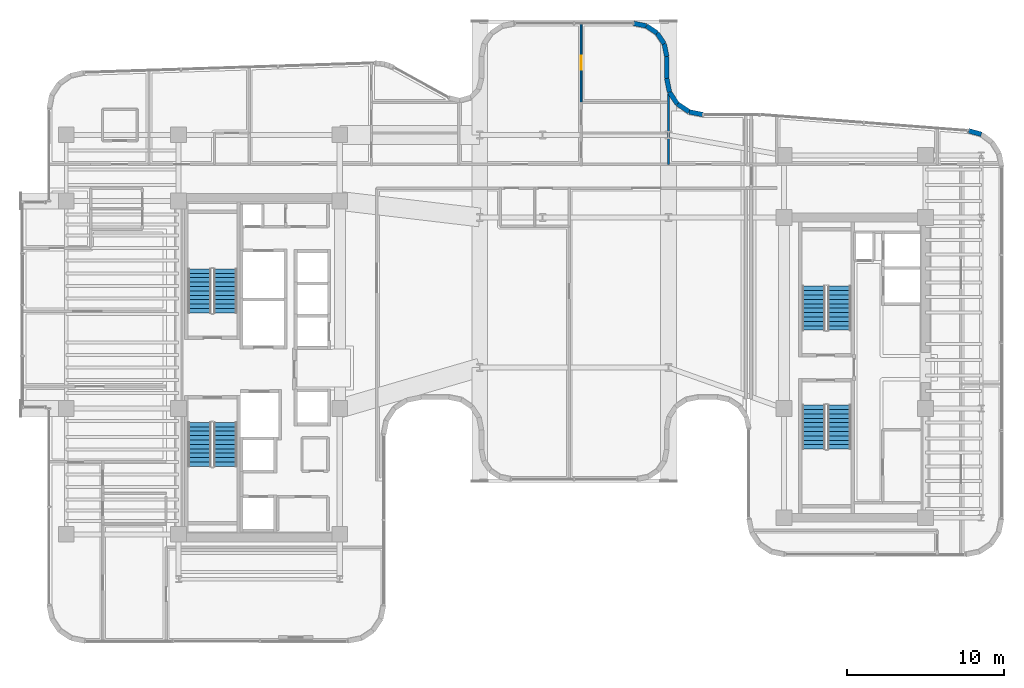
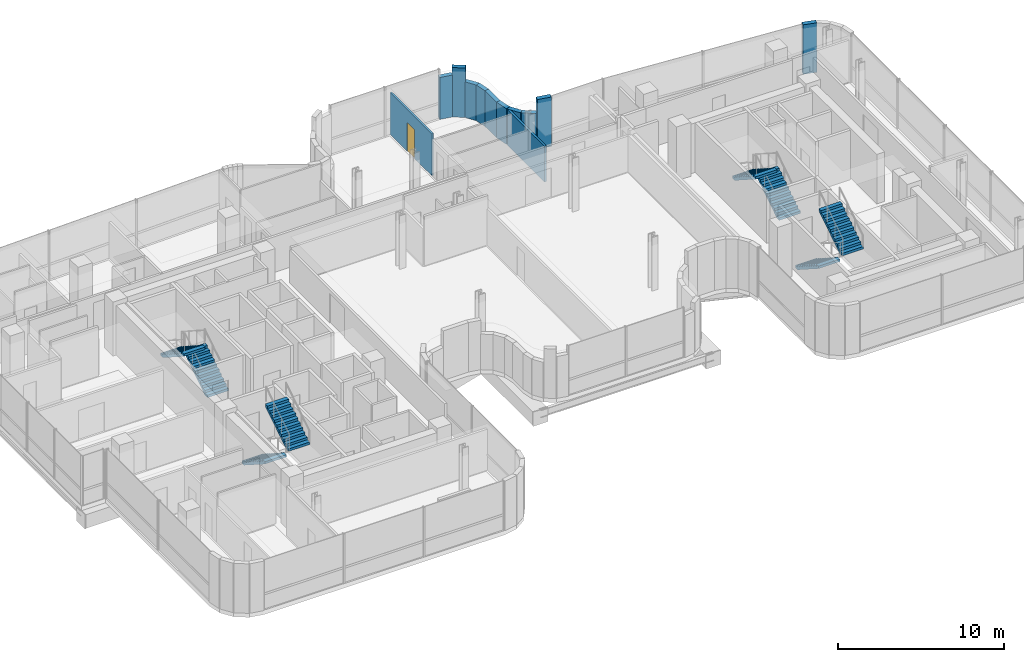
# One storey, part 31 of 38: 12 walls, 8 stair flights, 1 door, 1 opening, 4 elements without a shape of their own.
"""IFC4 building model written with IfcOpenShell, lengths in metres."""

import ifcopenshell
import ifcopenshell.guid

model = None  # the IFC model being written
_history = None  # IfcOwnerHistory: only IFC2X3 demands one
_inside = {}  # id of a spatial element -> (the spatial element, [elements in it])
_under = {}  # id of a project, library or spatial element -> (it, [spatial elements below it])
_declared = {}  # id of a project -> (the project, [libraries it declares])
_typed = {}  # id of a type object -> (the type object, [elements of that type])
_made_of = {}  # id of a material, layer set ... -> (it, [elements and type objects made of it])


def new_model(schema):
    """Start an empty IFC model of exactly this schema.

    Asked for "IFC4X3", IfcOpenShell would pick the latest addendum, in which some entities
    have other attributes; the version numbers below select the first issue.
    IFC2X3 requires an IfcOwnerHistory on every rooted entity: one is made here for all.
    """
    global model, _history
    if schema == "IFC4X3":
        model = ifcopenshell.file(schema_version=(4, 3, 0, 0))
    else:
        model = ifcopenshell.file(schema=schema)
    _inside.clear()
    _under.clear()
    _declared.clear()
    _typed.clear()
    _made_of.clear()
    _history = None
    if model.schema == "IFC2X3":
        org = make("IfcOrganization", Name="unknown")
        user = make(
            "IfcPersonAndOrganization",
            ThePerson=make("IfcPerson", FamilyName="unknown"),
            TheOrganization=org,
        )
        app = make(
            "IfcApplication",
            ApplicationDeveloper=org,
            Version="unknown",
            ApplicationFullName="unknown",
            ApplicationIdentifier="unknown",
        )
        _history = make(
            "IfcOwnerHistory",
            OwningUser=user,
            OwningApplication=app,
            ChangeAction="ADDED",
            CreationDate=0,
        )
    return model


def make(cls, **values):
    """One entity of the class cls with the attributes given. An attribute that is None is left unset."""
    return model.create_entity(
        cls, **{name: value for name, value in values.items() if value is not None}
    )


def rooted(cls, **values):
    """An entity with a GlobalId (a new one), such as an element, a storey or a relation."""
    return make(cls, GlobalId=ifcopenshell.guid.new(), OwnerHistory=_history, **values)


def si_unit(unit_type, name, prefix=None):
    """IfcSIUnit, for example si_unit("LENGTHUNIT", "METRE", prefix="MILLI")."""
    return make("IfcSIUnit", UnitType=unit_type, Prefix=prefix, Name=name)


def assignment(units):
    """IfcUnitAssignment: the units of a project."""
    return None if units is None else make("IfcUnitAssignment", Units=units)


def point(xyz):
    """IfcCartesianPoint."""
    return None if xyz is None else make("IfcCartesianPoint", Coordinates=xyz)


def direction(xyz):
    """IfcDirection."""
    return None if xyz is None else make("IfcDirection", DirectionRatios=xyz)


def frame(location, z_axis=None, x_axis=None):
    """IfcAxis2Placement3D, a coordinate frame: its origin and axes. An axis left out is left unset."""
    return make(
        "IfcAxis2Placement3D",
        Location=point(location),
        Axis=direction(z_axis),
        RefDirection=direction(x_axis),
    )


def frame_2d(location, x_axis=None):
    """IfcAxis2Placement2D, a coordinate frame in the plane: its origin and x axis."""
    return make(
        "IfcAxis2Placement2D", Location=point(location), RefDirection=direction(x_axis)
    )


def origin():
    """The frame at (0, 0, 0) with its axes left unset."""
    return frame((0.0, 0.0, 0.0))


def place(relative_to, where):
    """IfcLocalPlacement: puts the frame where relative to a parent placement (None: the world)."""
    return make(
        "IfcLocalPlacement", PlacementRelTo=relative_to, RelativePlacement=where
    )


def context(
    kind, dimensions, precision=None, world=None, true_north=None, identifier=None
):
    """IfcGeometricRepresentationContext, for example the 3D "Model" context."""
    return make(
        "IfcGeometricRepresentationContext",
        ContextIdentifier=identifier,
        ContextType=kind,
        CoordinateSpaceDimension=dimensions,
        Precision=precision,
        WorldCoordinateSystem=world,
        TrueNorth=true_north,
    )


def subcontext(parent, identifier, kind, view, scale=None):
    """IfcGeometricRepresentationSubContext, for example "Body" below "Model"."""
    return make(
        "IfcGeometricRepresentationSubContext",
        ContextIdentifier=identifier,
        ContextType=kind,
        ParentContext=parent,
        TargetScale=scale,
        TargetView=view,
    )


def project(units=None, contexts=None):
    """IfcProject with its units and contexts."""
    return rooted(
        "IfcProject",
        Name="project",
        RepresentationContexts=contexts,
        UnitsInContext=assignment(units),
    )


def spatial(cls, under=None, at=None, **own):
    """A site, building, storey or space (cls), placed at a placement, below another one or the project."""
    s = rooted(cls, ObjectPlacement=at, **own)
    if under is not None:
        _under.setdefault(under.id(), (under, []))[1].append(s)
    return s


def polyline(points):
    """IfcPolyline through the points."""
    return make("IfcPolyline", Points=[point(p) for p in points])


def profile(cls, at=None, kind="AREA", **sizes):
    """A parametric profile (cls). Its sizes go by their IFC names, for example OverallWidth=200.0."""
    return make(cls, ProfileType=kind, Position=at, **sizes)


def rectangle(**sizes):
    """IfcRectangleProfileDef."""
    return profile("IfcRectangleProfileDef", **sizes)


def outline(outer, holes=None, kind="AREA"):
    """IfcArbitraryClosedProfileDef: a profile drawn as a closed curve; with holes, ...WithVoids."""
    if holes is None:
        return make("IfcArbitraryClosedProfileDef", ProfileType=kind, OuterCurve=outer)
    return make(
        "IfcArbitraryProfileDefWithVoids",
        ProfileType=kind,
        OuterCurve=outer,
        InnerCurves=holes,
    )


def extrude(swept, where, along, depth):
    """IfcExtrudedAreaSolid: the profile swept, set in the frame where, extruded along a direction by depth."""
    return make(
        "IfcExtrudedAreaSolid",
        SweptArea=swept,
        Position=where,
        ExtrudedDirection=direction(along),
        Depth=depth,
    )


def shape(context_of_items, identifier, shape_type, items):
    """IfcShapeRepresentation: the items that make up one representation, for example the "Body"."""
    return make(
        "IfcShapeRepresentation",
        ContextOfItems=context_of_items,
        RepresentationIdentifier=identifier,
        RepresentationType=shape_type,
        Items=items,
    )


def material(Name=None, Category=None):
    """IfcMaterial."""
    return make("IfcMaterial", Name=Name, Category=Category)


def layer(
    of_material, thickness, ventilated=None, Name=None, Category=None, Priority=None
):
    """IfcMaterialLayer: one layer of a wall or slab, of a material (None: an air gap)."""
    return make(
        "IfcMaterialLayer",
        Material=of_material,
        LayerThickness=thickness,
        IsVentilated=ventilated,
        Name=Name,
        Category=Category,
        Priority=Priority,
    )


def layer_set(layers, Name=None):
    """IfcMaterialLayerSet."""
    return make("IfcMaterialLayerSet", MaterialLayers=layers, LayerSetName=Name)


def made_of(thing, what):
    """Note that an element or type object is made of a material, layer set ...; save() writes the relation."""
    if what is not None:
        _made_of.setdefault(what.id(), (what, []))[1].append(thing)
    return thing


def type_object(cls, material=None, **own):
    """A type object (cls), such as IfcWallType, which elements share."""
    return made_of(rooted(cls, **own), material)


def element(
    cls,
    number,
    at=None,
    inside=None,
    cuts=None,
    type_object=None,
    material=None,
    context=None,
    identifier="Body",
    shape_type=None,
    held_by="IfcProductDefinitionShape",
    body=None,
    shapes=None,
    **own,
):
    """One element of the class cls, such as IfcWall. Its Tag is "e" and its number.

    at: its placement. inside: the storey or other place that contains it. cuts: it is an
    opening in that element (IfcRelVoidsElement). A single representation is given by context,
    identifier, shape_type and body (its items); several are given by shapes. held_by: the class
    of the entity that holds the representations. save() writes the other relations.
    """
    e = rooted(cls, Tag="e%d" % number, ObjectPlacement=at, **own)
    if body is not None:
        shapes = [shape(context, identifier, shape_type, body)]
    if shapes is not None:
        e.Representation = make(held_by, Representations=shapes)
    if inside is not None:
        _inside.setdefault(inside.id(), (inside, []))[1].append(e)
    if cuts is not None:
        rooted(
            "IfcRelVoidsElement", RelatingBuildingElement=cuts, RelatedOpeningElement=e
        )
    if type_object is not None:
        _typed.setdefault(type_object.id(), (type_object, []))[1].append(e)
    return made_of(e, material)


def fill(opening, filler):
    """IfcRelFillsElement: the door or window that sits in an opening."""
    return rooted(
        "IfcRelFillsElement",
        RelatingOpeningElement=opening,
        RelatedBuildingElement=filler,
    )


def aggregate(whole, parts):
    """IfcRelAggregates: a whole, such as a stair, and the parts it consists of."""
    return rooted("IfcRelAggregates", RelatingObject=whole, RelatedObjects=parts)


def save(model, path):
    """Write the relations noted so far, then the file.

    IfcRelAggregates (storeys below a building ...), IfcRelContainedInSpatialStructure (elements
    in a storey), IfcRelDefinesByType, IfcRelAssociatesMaterial and IfcRelDeclares: one each for
    every whole, place, type object, material and project.
    """
    for whole, parts in _under.values():
        aggregate(whole, parts)
    for where, things in _inside.values():
        rooted(
            "IfcRelContainedInSpatialStructure",
            RelatedElements=things,
            RelatingStructure=where,
        )
    for kind, things in _typed.values():
        rooted("IfcRelDefinesByType", RelatedObjects=things, RelatingType=kind)
    for what, things in _made_of.values():
        rooted("IfcRelAssociatesMaterial", RelatedObjects=things, RelatingMaterial=what)
    for by, libraries in _declared.values():
        rooted("IfcRelDeclares", RelatingContext=by, RelatedDefinitions=libraries)
    model.write(path)


model = new_model("IFC4")

# Units and contexts
model_context = context("Model", 3, precision=1e-05, world=origin(), true_north=direction((0.0, 1.0)))
body_context = subcontext(model_context, "Body", "Model", "MODEL_VIEW")
ifc_project = project(units=[si_unit("LENGTHUNIT", "METRE"), si_unit("AREAUNIT", "SQUARE_METRE"), si_unit("VOLUMEUNIT", "CUBIC_METRE"), si_unit("PLANEANGLEUNIT", "RADIAN"), si_unit("MASSUNIT", "GRAM", prefix="KILO")], contexts=[model_context])

# Site, building, storey
site_placement = place(None, origin())
site = spatial("IfcSite", under=ifc_project, at=site_placement, CompositionType="ELEMENT")
building_placement = place(site_placement, origin())
building = spatial("IfcBuilding", under=site, at=building_placement, Name="Valdorenza Pilgrim Sanctuary Tower", CompositionType="ELEMENT")
storey_placement = place(building_placement, frame((0.0, 0.0, 180.5)))
storey = spatial("IfcBuildingStorey", under=building, at=storey_placement, Name="L46", CompositionType="ELEMENT", Elevation=180.5)

# Walls
ifc_material_1 = material(Name="Honed travertine limestone", Category="masonry")
ifc_layer_1 = layer(ifc_material_1, 0.300048828125, Name="Honed travertine limestone")
ifc_layer_set_1 = layer_set([ifc_layer_1], Name="Honed travertine limestone")
wall_type_1 = type_object("IfcWallType", Name="WAL-EXT-300", PredefinedType="SOLIDWALL", material=ifc_layer_set_1)
wall_1_placement = place(storey_placement, frame((6.28515625, 21.889892578125, 0.0), z_axis=(0.0, 0.0, 1.0), x_axis=(0.980784478276, -0.195094354541, 0.0)))
element("IfcWall", 1, at=wall_1_placement, inside=storey, type_object=wall_type_1, Name="L46 Rounded Wind-Corner Stone Pier 22", PredefinedType="SOLIDWALL", context=body_context, shape_type="SweptSolid", body=[
    extrude(rectangle(XDim=0.8271484375, YDim=0.300048828125, at=frame_2d((0.41357421875, 0.0))), origin(), (0.0, 0.0, 1.0), 3.075927734375),
])
wall_2_placement = place(storey_placement, frame((7.096435546875, 21.728515625, 0.0), z_axis=(0.0, 0.0, 1.0), x_axis=(0.831543750805, -0.55545926088, 0.0)))
element("IfcWall", 2, at=wall_2_placement, inside=storey, type_object=wall_type_1, Name="L46 Rounded Wind-Corner Stone Pier 23", PredefinedType="SOLIDWALL", context=body_context, shape_type="SweptSolid", body=[
    extrude(rectangle(XDim=0.816162109375, YDim=0.300048828125, at=frame_2d((0.408203125, 0.0))), origin(), (0.0, 0.0, 1.0), 3.6298828125),
])
wall_3_placement = place(storey_placement, frame((7.775146484375, 21.275146484375, 0.0), z_axis=(0.0, 0.0, 1.0), x_axis=(0.55545926088, -0.831543750805, 0.0)))
element("IfcWall", 3, at=wall_3_placement, inside=storey, type_object=wall_type_1, Name="L46 Rounded Wind-Corner Stone Pier 24", PredefinedType="SOLIDWALL", context=body_context, shape_type="SweptSolid", body=[
    extrude(rectangle(XDim=0.816162109375, YDim=0.300048828125, at=frame_2d((0.408203125, 0.0))), origin(), (0.0, 0.0, 1.0), 2.614990234375),
])
wall_4_placement = place(storey_placement, frame((8.228515625, 20.596435546875, 0.0), z_axis=(0.0, 0.0, 1.0), x_axis=(0.195094354541, -0.980784478276, 0.0)))
element("IfcWall", 4, at=wall_4_placement, inside=storey, type_object=wall_type_1, Name="L46 Rounded Wind-Corner Stone Pier 25", PredefinedType="SOLIDWALL", context=body_context, shape_type="SweptSolid", body=[
    extrude(rectangle(XDim=0.8271484375, YDim=0.300048828125, at=frame_2d((0.41357421875, 0.0))), origin(), (0.0, 0.0, 1.0), 2.614990234375),
])
wall_5_placement = place(storey_placement, frame((8.389892578125, 19.78515625, 0.0), z_axis=(0.0, 0.0, 1.0), x_axis=(0.0, -1.0, 0.0)))
element("IfcWall", 5, at=wall_5_placement, inside=storey, type_object=wall_type_1, Name="L46 Rounded Wind-Corner Stone Pier 26", PredefinedType="SOLIDWALL", context=body_context, shape_type="SweptSolid", body=[
    extrude(rectangle(XDim=1.391845703125, YDim=0.300048828125, at=frame_2d((0.69580078125, 0.0))), origin(), (0.0, 0.0, 1.0), 2.614990234375),
])
wall_6_placement = place(storey_placement, frame((8.389892578125, 18.393310546875, 0.0), z_axis=(0.0, 0.0, 1.0), x_axis=(0.195222179208, -0.980759043163, 0.0)))
element("IfcWall", 6, at=wall_6_placement, inside=storey, type_object=wall_type_1, Name="L46 Rounded Wind-Corner Stone Pier 27", PredefinedType="SOLIDWALL", context=body_context, shape_type="SweptSolid", body=[
    extrude(rectangle(XDim=0.892822265625, YDim=0.300048828125, at=frame_2d((0.4462890625, 0.0))), origin(), (0.0, 0.0, 1.0), 2.614990234375),
])
for number, where, z_axis, x_axis, name in (
    (7, (8.564208984375, 17.517578125, 0.0), (0.0, 0.0, 1.0), (0.555448106233, -0.831551201841, 0.0), "L46 Rounded Wind-Corner Stone Pier 28"),
    (8, (9.066162109375, 16.76611328125, 0.0), (0.0, 0.0, 1.0), (0.831551201841, -0.555448106233, 0.0), "L46 Rounded Wind-Corner Stone Pier 29"),
):
    element("IfcWall", number, at=place(storey_placement, frame(where, z_axis=z_axis, x_axis=x_axis)), inside=storey, type_object=wall_type_1, Name=name, PredefinedType="SOLIDWALL", context=body_context, shape_type="SweptSolid", body=[
        extrude(rectangle(XDim=0.90380859375, YDim=0.300048828125, at=frame_2d((0.451904296875, 0.0))), origin(), (0.0, 0.0, 1.0), 2.614990234375),
    ])
wall_7_placement = place(storey_placement, frame((9.817626953125, 16.26416015625, 0.0), z_axis=(0.0, 0.0, 1.0), x_axis=(0.980800964186, -0.195011457743, 0.0)))
element("IfcWall", 9, at=wall_7_placement, inside=storey, type_object=wall_type_1, Name="L46 Rounded Wind-Corner Stone Pier 30", PredefinedType="SOLIDWALL", context=body_context, shape_type="SweptSolid", body=[
    extrude(rectangle(XDim=0.892578125, YDim=0.300048828125, at=frame_2d((0.4462890625, 0.0))), origin(), (0.0, 0.0, 1.0), 3.6298828125),
])
wall_8_placement = place(storey_placement, frame((27.56640625, 15.0625, 0.0), z_axis=(0.0, 0.0, 1.0), x_axis=(0.965357594382, -0.260930479187, 0.0)))
element("IfcWall", 10, at=wall_8_placement, inside=storey, type_object=wall_type_1, Name="L46 Rounded Wind-Corner Stone Pier 33", PredefinedType="SOLIDWALL", context=body_context, shape_type="SweptSolid", body=[
    extrude(rectangle(XDim=0.85986328125, YDim=0.300048828125, at=frame_2d((0.429931640625, 0.0))), origin(), (0.0, 0.0, 1.0), 3.6298828125),
])

# Wall, opening, door
ifc_material_2 = material(Name="Moisture-resistant gypsum partition", Category="gypsum")
ifc_layer_2 = layer(ifc_material_2, 0.1201171875, Name="Moisture-resistant gypsum partition")
ifc_layer_set_2 = layer_set([ifc_layer_2], Name="Moisture-resistant gypsum partition")
wall_type_2 = type_object("IfcWallType", Name="WAL-INT-120", PredefinedType="PARTITIONING", material=ifc_layer_set_2)
wall_9_placement = place(storey_placement, frame((2.9501953125, 16.8701171875, 0.0), z_axis=(0.0, 0.0, 1.0), x_axis=(0.0, 1.0, 0.0)))
wall_9 = element("IfcWall", 11, at=wall_9_placement, inside=storey, type_object=wall_type_2, Name="L46 North Family Flat L46-N3 Bedroom Door Wall", PredefinedType="PARTITIONING", context=body_context, shape_type="SweptSolid", body=[
    extrude(rectangle(XDim=5.019775390625, YDim=0.1201171875, at=frame_2d((2.509765625, 0.0))), origin(), (0.0, 0.0, 1.0), 3.075927734375),
])
opening_placement = place(wall_9_placement, frame((2.06005859375, 0.0, 0.0)))
opening = element("IfcOpeningElement", 12, at=opening_placement, cuts=wall_9, Name="Opening DR-RM1", PredefinedType="OPENING", context=body_context, shape_type="SweptSolid", body=[
    extrude(rectangle(XDim=0.89990234375, YDim=2.10009765625, at=frame_2d((0.449951171875, 1.050048828125))), frame((0.0, 0.074951171875, 0.0), z_axis=(0.0, -1.0, 0.0), x_axis=(1.0, 0.0, 0.0)), (0.0, 0.0, 1.0), 0.14990234375),
])
ifc_material_3 = material(Name="Solid-core European oak timber", Category="wood")
door_type = type_object("IfcDoorType", Name="DR-ROOM-900", OperationType="NOTDEFINED", PredefinedType="DOOR", material=ifc_material_3)
door_placement = place(opening_placement, origin())
door = element("IfcDoor", 13, at=door_placement, inside=storey, type_object=door_type, Name="L46 North Family Flat L46-N3 Bedroom Door", OperationType="SINGLE_SWING_RIGHT", OverallHeight=2.10009765625, OverallWidth=0.89990234375, PredefinedType="DOOR", context=body_context, shape_type="SweptSolid", body=[
    extrude(rectangle(XDim=0.89990234375, YDim=2.10009765625, at=frame_2d((0.449951171875, 1.050048828125))), frame((0.0, 0.02490234375, 0.0), z_axis=(0.0, -1.0, 0.0), x_axis=(1.0, 0.0, 0.0)), (0.0, 0.0, 1.0), 0.050048828125),
])
fill(opening, door)

# Wall
ifc_material_4 = material(Name="Acoustic twin-stud gypsum partition", Category="gypsum")
ifc_layer_3 = layer(ifc_material_4, 0.14990234375, Name="Acoustic twin-stud gypsum partition")
ifc_layer_set_3 = layer_set([ifc_layer_3], Name="Acoustic twin-stud gypsum partition")
wall_type_3 = type_object("IfcWallType", Name="WAL-UNT-150", PredefinedType="PARTITIONING", material=ifc_layer_set_3)
wall_10_placement = place(storey_placement, frame((8.5, 12.919921875, 0.0), z_axis=(0.0, 0.0, 1.0), x_axis=(0.0, 1.0, 0.0)))
element("IfcWall", 14, at=wall_10_placement, inside=storey, type_object=wall_type_3, Name="L46 North-East Prow Split Wall", PredefinedType="PARTITIONING", context=body_context, shape_type="SweptSolid", body=[
    extrude(rectangle(XDim=4.468994140625, YDim=0.14990234375, at=frame_2d((2.234375, 0.0))), origin(), (0.0, 0.0, 1.0), 2.614990234375),
])

# Stair, stair flights
ifc_material_5 = material(Name="Concrete C40/50", Category="concrete")
stair_type = type_object("IfcStairType", Name="STR-DOG-CORE", PredefinedType="HALF_TURN_STAIR", material=ifc_material_5)
stair_1_placement = place(storey_placement, origin())
stair_1 = element("IfcStair", 15, at=stair_1_placement, inside=storey, type_object=stair_type, Name="L46 ST-A1", PredefinedType="HALF_TURN_STAIR")
stair_flight_type = type_object("IfcStairFlightType", Name="STF-RC-1400", PredefinedType="STRAIGHT", material=ifc_material_5)
stair_flight_1_placement = place(storey_placement, frame((-19.679931640625, 3.47998046875, 0.0), z_axis=(0.0, 0.0, 1.0), x_axis=(0.0, 1.0, 0.0)))
stair_flight_1 = element("IfcStairFlight", 16, at=stair_flight_1_placement, type_object=stair_flight_type, Name="ST-A1 flight 1", NumberOfRisers=11, NumberOfTreads=10, PredefinedType="STRAIGHT", RiserHeight=0.179545455, TreadLength=0.28, context=body_context, shape_type="SweptSolid", body=[
    extrude(outline(polyline([(0.0, 0.0), (0.0, 0.179443359375), (0.280029296875, 0.179443359375), (0.280029296875, 0.359130859375), (0.56005859375, 0.359130859375), (0.56005859375, 0.53857421875), (0.840087890625, 0.53857421875), (0.840087890625, 0.71826171875), (1.1201171875, 0.71826171875), (1.1201171875, 0.897705078125), (1.39990234375, 0.897705078125), (1.39990234375, 1.077392578125), (1.679931640625, 1.077392578125), (1.679931640625, 1.2568359375), (1.9599609375, 1.2568359375), (1.9599609375, 1.436279296875), (2.239990234375, 1.436279296875), (2.239990234375, 1.615966796875), (2.52001953125, 1.615966796875), (2.52001953125, 1.79541015625), (2.800048828125, 1.79541015625), (2.800048828125, 1.97509765625), (2.800048828125, 1.617431640625), (0.277587890625, 0.0), (0.0, 0.0)])), frame((0.0, 0.739990234375, 0.0), z_axis=(0.0, -1.0, 0.0), x_axis=(1.0, 0.0, 0.0)), (0.0, 0.0, 1.0), 1.47998046875),
])
stair_flight_2_placement = place(storey_placement, frame((-21.31005859375, 6.280029296875, 1.97509765625), z_axis=(0.0, 0.0, 1.0), x_axis=(0.0, -1.0, 0.0)))
stair_flight_2 = element("IfcStairFlight", 17, at=stair_flight_2_placement, type_object=stair_flight_type, Name="ST-A1 flight 2", NumberOfRisers=11, NumberOfTreads=10, PredefinedType="STRAIGHT", RiserHeight=0.179545455, TreadLength=0.28, context=body_context, shape_type="SweptSolid", body=[
    extrude(outline(polyline([(0.0, 0.0), (0.0, 0.179443359375), (0.280029296875, 0.179443359375), (0.280029296875, 0.359130859375), (0.56005859375, 0.359130859375), (0.56005859375, 0.53857421875), (0.840087890625, 0.53857421875), (0.840087890625, 0.71826171875), (1.1201171875, 0.71826171875), (1.1201171875, 0.897705078125), (1.39990234375, 0.897705078125), (1.39990234375, 1.077392578125), (1.679931640625, 1.077392578125), (1.679931640625, 1.2568359375), (1.9599609375, 1.2568359375), (1.9599609375, 1.436279296875), (2.239990234375, 1.436279296875), (2.239990234375, 1.615966796875), (2.52001953125, 1.615966796875), (2.52001953125, 1.79541015625), (2.800048828125, 1.79541015625), (2.800048828125, 1.97509765625), (2.800048828125, 1.617431640625), (0.277587890625, 0.0), (0.0, 0.0)])), frame((0.0, 0.739990234375, 0.0), z_axis=(0.0, -1.0, 0.0), x_axis=(1.0, 0.0, 0.0)), (0.0, 0.0, 1.0), 1.47998046875),
])
aggregate(stair_1, [stair_flight_1, stair_flight_2])

stair_2_placement = place(storey_placement, origin())
stair_2 = element("IfcStair", 18, at=stair_2_placement, inside=storey, type_object=stair_type, Name="L46 ST-A2", PredefinedType="HALF_TURN_STAIR")
stair_flight_3_placement = place(storey_placement, frame((-21.31005859375, -3.47998046875, 0.0), z_axis=(0.0, 0.0, 1.0), x_axis=(0.0, -1.0, 0.0)))
stair_flight_3 = element("IfcStairFlight", 19, at=stair_flight_3_placement, type_object=stair_flight_type, Name="ST-A2 flight 1", NumberOfRisers=11, NumberOfTreads=10, PredefinedType="STRAIGHT", RiserHeight=0.179545455, TreadLength=0.28, context=body_context, shape_type="SweptSolid", body=[
    extrude(outline(polyline([(0.0, 0.0), (0.0, 0.179443359375), (0.280029296875, 0.179443359375), (0.280029296875, 0.359130859375), (0.56005859375, 0.359130859375), (0.56005859375, 0.53857421875), (0.840087890625, 0.53857421875), (0.840087890625, 0.71826171875), (1.1201171875, 0.71826171875), (1.1201171875, 0.897705078125), (1.39990234375, 0.897705078125), (1.39990234375, 1.077392578125), (1.679931640625, 1.077392578125), (1.679931640625, 1.2568359375), (1.9599609375, 1.2568359375), (1.9599609375, 1.436279296875), (2.239990234375, 1.436279296875), (2.239990234375, 1.615966796875), (2.52001953125, 1.615966796875), (2.52001953125, 1.79541015625), (2.800048828125, 1.79541015625), (2.800048828125, 1.97509765625), (2.800048828125, 1.617431640625), (0.277587890625, 0.0), (0.0, 0.0)])), frame((0.0, 0.739990234375, 0.0), z_axis=(0.0, -1.0, 0.0), x_axis=(1.0, 0.0, 0.0)), (0.0, 0.0, 1.0), 1.47998046875),
])
stair_flight_4_placement = place(storey_placement, frame((-19.679931640625, -6.280029296875, 1.97509765625), z_axis=(0.0, 0.0, 1.0), x_axis=(0.0, 1.0, 0.0)))
stair_flight_4 = element("IfcStairFlight", 20, at=stair_flight_4_placement, type_object=stair_flight_type, Name="ST-A2 flight 2", NumberOfRisers=11, NumberOfTreads=10, PredefinedType="STRAIGHT", RiserHeight=0.179545455, TreadLength=0.28, context=body_context, shape_type="SweptSolid", body=[
    extrude(outline(polyline([(0.0, 0.0), (0.0, 0.179443359375), (0.280029296875, 0.179443359375), (0.280029296875, 0.359130859375), (0.56005859375, 0.359130859375), (0.56005859375, 0.53857421875), (0.840087890625, 0.53857421875), (0.840087890625, 0.71826171875), (1.1201171875, 0.71826171875), (1.1201171875, 0.897705078125), (1.39990234375, 0.897705078125), (1.39990234375, 1.077392578125), (1.679931640625, 1.077392578125), (1.679931640625, 1.2568359375), (1.9599609375, 1.2568359375), (1.9599609375, 1.436279296875), (2.239990234375, 1.436279296875), (2.239990234375, 1.615966796875), (2.52001953125, 1.615966796875), (2.52001953125, 1.79541015625), (2.800048828125, 1.79541015625), (2.800048828125, 1.97509765625), (2.800048828125, 1.617431640625), (0.277587890625, 0.0), (0.0, 0.0)])), frame((0.0, 0.739990234375, 0.0), z_axis=(0.0, -1.0, 0.0), x_axis=(1.0, 0.0, 0.0)), (0.0, 0.0, 1.0), 1.47998046875),
])
aggregate(stair_2, [stair_flight_3, stair_flight_4])

stair_3_placement = place(storey_placement, origin())
stair_3 = element("IfcStair", 21, at=stair_3_placement, inside=storey, type_object=stair_type, Name="L46 ST-B1", PredefinedType="HALF_TURN_STAIR")
stair_flight_5_placement = place(storey_placement, frame((19.3701171875, 2.3798828125, 0.0), z_axis=(0.0, 0.0, 1.0), x_axis=(0.0, 1.0, 0.0)))
stair_flight_5 = element("IfcStairFlight", 22, at=stair_flight_5_placement, type_object=stair_flight_type, Name="ST-B1 flight 1", NumberOfRisers=11, NumberOfTreads=10, PredefinedType="STRAIGHT", RiserHeight=0.179545455, TreadLength=0.28, context=body_context, shape_type="SweptSolid", body=[
    extrude(outline(polyline([(0.0, 0.0), (0.0, 0.179443359375), (0.280029296875, 0.179443359375), (0.280029296875, 0.359130859375), (0.56005859375, 0.359130859375), (0.56005859375, 0.53857421875), (0.840087890625, 0.53857421875), (0.840087890625, 0.71826171875), (1.1201171875, 0.71826171875), (1.1201171875, 0.897705078125), (1.39990234375, 0.897705078125), (1.39990234375, 1.077392578125), (1.679931640625, 1.077392578125), (1.679931640625, 1.2568359375), (1.9599609375, 1.2568359375), (1.9599609375, 1.436279296875), (2.239990234375, 1.436279296875), (2.239990234375, 1.615966796875), (2.52001953125, 1.615966796875), (2.52001953125, 1.79541015625), (2.800048828125, 1.79541015625), (2.800048828125, 1.97509765625), (2.800048828125, 1.617431640625), (0.277587890625, 0.0), (0.0, 0.0)])), frame((0.0, 0.739990234375, 0.0), z_axis=(0.0, -1.0, 0.0), x_axis=(1.0, 0.0, 0.0)), (0.0, 0.0, 1.0), 1.47998046875),
])
stair_flight_6_placement = place(storey_placement, frame((17.739990234375, 5.179931640625, 1.97509765625), z_axis=(0.0, 0.0, 1.0), x_axis=(0.0, -1.0, 0.0)))
stair_flight_6 = element("IfcStairFlight", 23, at=stair_flight_6_placement, type_object=stair_flight_type, Name="ST-B1 flight 2", NumberOfRisers=11, NumberOfTreads=10, PredefinedType="STRAIGHT", RiserHeight=0.179545455, TreadLength=0.28, context=body_context, shape_type="SweptSolid", body=[
    extrude(outline(polyline([(0.0, 0.0), (0.0, 0.179443359375), (0.280029296875, 0.179443359375), (0.280029296875, 0.359130859375), (0.56005859375, 0.359130859375), (0.56005859375, 0.53857421875), (0.840087890625, 0.53857421875), (0.840087890625, 0.71826171875), (1.1201171875, 0.71826171875), (1.1201171875, 0.897705078125), (1.39990234375, 0.897705078125), (1.39990234375, 1.077392578125), (1.679931640625, 1.077392578125), (1.679931640625, 1.2568359375), (1.9599609375, 1.2568359375), (1.9599609375, 1.436279296875), (2.239990234375, 1.436279296875), (2.239990234375, 1.615966796875), (2.52001953125, 1.615966796875), (2.52001953125, 1.79541015625), (2.800048828125, 1.79541015625), (2.800048828125, 1.97509765625), (2.800048828125, 1.617431640625), (0.277587890625, 0.0), (0.0, 0.0)])), frame((0.0, 0.739990234375, 0.0), z_axis=(0.0, -1.0, 0.0), x_axis=(1.0, 0.0, 0.0)), (0.0, 0.0, 1.0), 1.47998046875),
])
aggregate(stair_3, [stair_flight_5, stair_flight_6])

stair_4_placement = place(storey_placement, origin())
stair_4 = element("IfcStair", 24, at=stair_4_placement, inside=storey, type_object=stair_type, Name="L46 ST-B2", PredefinedType="HALF_TURN_STAIR")
stair_flight_7_placement = place(storey_placement, frame((17.739990234375, -2.3798828125, 0.0), z_axis=(0.0, 0.0, 1.0), x_axis=(0.0, -1.0, 0.0)))
stair_flight_7 = element("IfcStairFlight", 25, at=stair_flight_7_placement, type_object=stair_flight_type, Name="ST-B2 flight 1", NumberOfRisers=11, NumberOfTreads=10, PredefinedType="STRAIGHT", RiserHeight=0.179545455, TreadLength=0.28, context=body_context, shape_type="SweptSolid", body=[
    extrude(outline(polyline([(0.0, 0.0), (0.0, 0.179443359375), (0.280029296875, 0.179443359375), (0.280029296875, 0.359130859375), (0.56005859375, 0.359130859375), (0.56005859375, 0.53857421875), (0.840087890625, 0.53857421875), (0.840087890625, 0.71826171875), (1.1201171875, 0.71826171875), (1.1201171875, 0.897705078125), (1.39990234375, 0.897705078125), (1.39990234375, 1.077392578125), (1.679931640625, 1.077392578125), (1.679931640625, 1.2568359375), (1.9599609375, 1.2568359375), (1.9599609375, 1.436279296875), (2.239990234375, 1.436279296875), (2.239990234375, 1.615966796875), (2.52001953125, 1.615966796875), (2.52001953125, 1.79541015625), (2.800048828125, 1.79541015625), (2.800048828125, 1.97509765625), (2.800048828125, 1.617431640625), (0.277587890625, 0.0), (0.0, 0.0)])), frame((0.0, 0.739990234375, 0.0), z_axis=(0.0, -1.0, 0.0), x_axis=(1.0, 0.0, 0.0)), (0.0, 0.0, 1.0), 1.47998046875),
])
stair_flight_8_placement = place(storey_placement, frame((19.3701171875, -5.179931640625, 1.97509765625), z_axis=(0.0, 0.0, 1.0), x_axis=(0.0, 1.0, 0.0)))
stair_flight_8 = element("IfcStairFlight", 26, at=stair_flight_8_placement, type_object=stair_flight_type, Name="ST-B2 flight 2", NumberOfRisers=11, NumberOfTreads=10, PredefinedType="STRAIGHT", RiserHeight=0.179545455, TreadLength=0.28, context=body_context, shape_type="SweptSolid", body=[
    extrude(outline(polyline([(0.0, 0.0), (0.0, 0.179443359375), (0.280029296875, 0.179443359375), (0.280029296875, 0.359130859375), (0.56005859375, 0.359130859375), (0.56005859375, 0.53857421875), (0.840087890625, 0.53857421875), (0.840087890625, 0.71826171875), (1.1201171875, 0.71826171875), (1.1201171875, 0.897705078125), (1.39990234375, 0.897705078125), (1.39990234375, 1.077392578125), (1.679931640625, 1.077392578125), (1.679931640625, 1.2568359375), (1.9599609375, 1.2568359375), (1.9599609375, 1.436279296875), (2.239990234375, 1.436279296875), (2.239990234375, 1.615966796875), (2.52001953125, 1.615966796875), (2.52001953125, 1.79541015625), (2.800048828125, 1.79541015625), (2.800048828125, 1.97509765625), (2.800048828125, 1.617431640625), (0.277587890625, 0.0), (0.0, 0.0)])), frame((0.0, 0.739990234375, 0.0), z_axis=(0.0, -1.0, 0.0), x_axis=(1.0, 0.0, 0.0)), (0.0, 0.0, 1.0), 1.47998046875),
])
aggregate(stair_4, [stair_flight_7, stair_flight_8])

save(model, "model.ifc")
